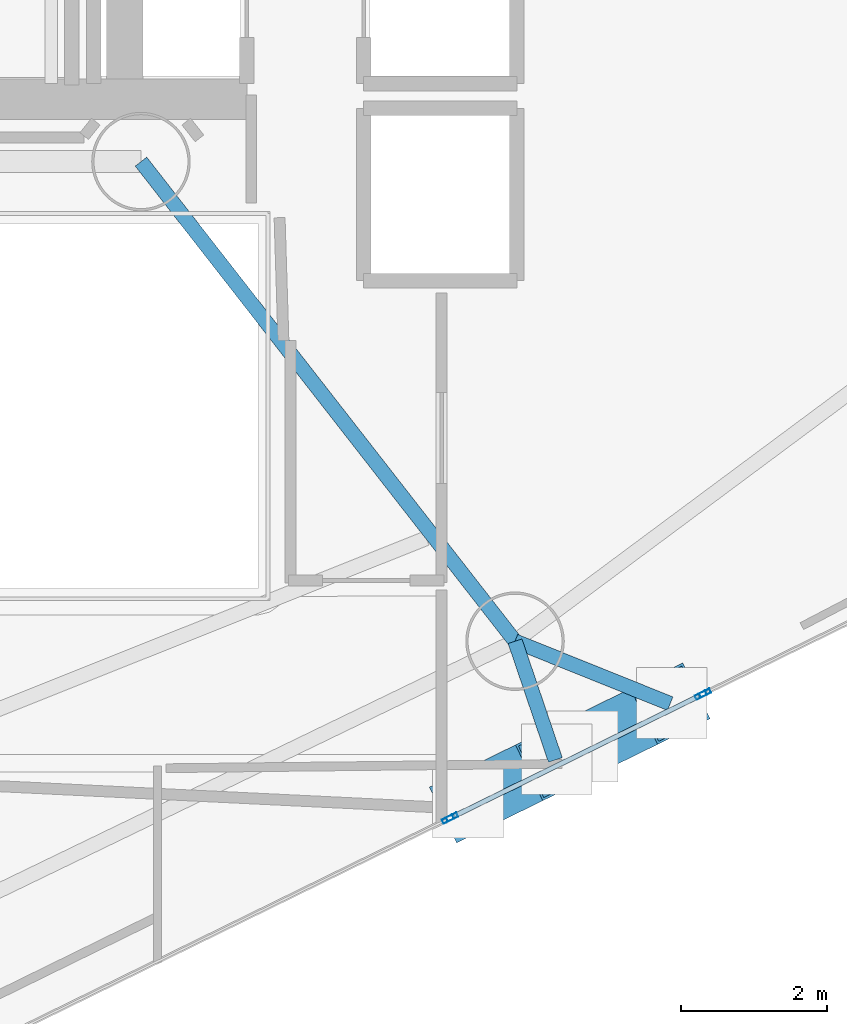
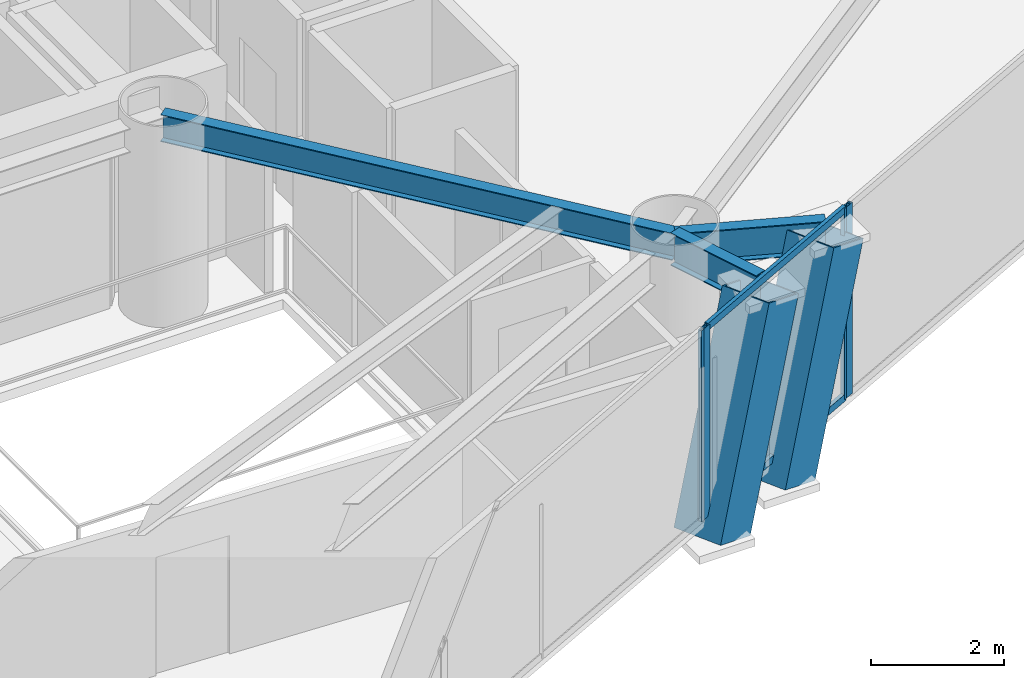
# One storey, part 6 of 23: 8 members, 3 beams, 3 elements without a shape of their own.
"""IFC4 building model written with IfcOpenShell, lengths in metres."""

from ifc_helpers import new_model, si_unit, direction, frame, origin, origin_2d, place, context, subcontext, project, spatial, hollow_rectangle, i_section, extrude, material, layer, layer_set, material_profile, profile_set, type_object, element, aggregate, save


model = new_model("IFC4")

# Units and contexts
model_context = context("Model", 3, precision=1e-05, world=origin(), true_north=direction((0.0, 1.0)))
body_context = subcontext(model_context, "Body", "Model", "MODEL_VIEW")
ifc_project = project(units=[si_unit("LENGTHUNIT", "METRE"), si_unit("AREAUNIT", "SQUARE_METRE"), si_unit("VOLUMEUNIT", "CUBIC_METRE"), si_unit("PLANEANGLEUNIT", "RADIAN"), si_unit("MASSUNIT", "GRAM", prefix="KILO")], contexts=[model_context])

# Site, building, storey
site_placement = place(None, origin())
site = spatial("IfcSite", under=ifc_project, at=site_placement, CompositionType="ELEMENT")
building_placement = place(site_placement, origin())
building = spatial("IfcBuilding", under=site, at=building_placement, Name="Qianvela Tower", CompositionType="ELEMENT")
storey_placement = place(building_placement, frame((0.0, 0.0, 162.39990234375)))
storey = spatial("IfcBuildingStorey", under=building, at=storey_placement, Name="L41", CompositionType="ELEMENT", Elevation=162.39990234375)

# Beams
ifc_material_1 = material(Name="Steel Q355B", Category="steel")
ifc_material_profile_1 = material_profile(ifc_material_1, i_section(OverallWidth=0.199951171875, OverallDepth=0.5, WebThickness=0.010009765625, FlangeThickness=0.01611328125, at=origin_2d()), Name="HN500x200x10x16")
ifc_profile_set_1 = profile_set([ifc_material_profile_1], Name="Steel Q355B")
beam_type_1 = type_object("IfcBeamType", Name="BM-HN500-GIRD", PredefinedType="BEAM", material=ifc_profile_set_1)
beam_1_placement = place(storey_placement, frame((38.39990234375, 23.85009765625, 3.26806640625), z_axis=(0.615000832816, -0.788526458424, 0.0), x_axis=(0.788526458424, 0.615000832816, 0.0)))
element("IfcBeam", 1, at=beam_1_placement, inside=storey, type_object=beam_type_1, Name="L41 Radial Primary Floor Girder 6", PredefinedType="BEAM", context=body_context, shape_type="SweptSolid", body=[
    extrude(i_section(OverallWidth=0.199951171875, OverallDepth=0.5, WebThickness=0.010009765625, FlangeThickness=0.01611328125, at=origin_2d()), origin(), (0.0, 0.0, 1.0), 8.333251953125),
])
ifc_material_2 = material(Name="Steel Q355B", Category="steel")
ifc_material_profile_2 = material_profile(ifc_material_2, i_section(OverallWidth=0.199951171875, OverallDepth=0.60009765625, WebThickness=0.010986328125, FlangeThickness=0.01708984375, at=origin_2d()), Name="HN600x200x11x17")
ifc_profile_set_2 = profile_set([ifc_material_profile_2], Name="Steel Q355B")
beam_type_2 = type_object("IfcBeamType", Name="BM-HN600-GIRD", PredefinedType="BEAM", material=ifc_profile_set_2)
beam_2_placement = place(storey_placement, frame((43.52490234375, 17.279052734375, 3.218017578125), z_axis=(0.32163529782, -0.946863630728, 0.0), x_axis=(0.946863630728, 0.32163529782, 0.0)))
element("IfcBeam", 2, at=beam_2_placement, inside=storey, type_object=beam_type_2, Name="L41 Mega-Brace Column Tie Bracket F3-1", PredefinedType="BEAM", context=body_context, shape_type="SweptSolid", body=[
    extrude(i_section(OverallWidth=0.199951171875, OverallDepth=0.60009765625, WebThickness=0.010986328125, FlangeThickness=0.01708984375, at=origin_2d()), origin(), (0.0, 0.0, 1.0), 1.718505859375),
])
beam_3_placement = place(storey_placement, frame((43.52490234375, 17.279052734375, 3.218017578125), z_axis=(0.927703408303, -0.373318076475, 0.0), x_axis=(0.373318076475, 0.927703408303, 0.0)))
element("IfcBeam", 3, at=beam_3_placement, inside=storey, type_object=beam_type_2, Name="L41 Mega-Brace Column Tie Bracket F3-2", PredefinedType="BEAM", context=body_context, shape_type="SweptSolid", body=[
    extrude(i_section(OverallWidth=0.199951171875, OverallDepth=0.60009765625, WebThickness=0.010986328125, FlangeThickness=0.01708984375, at=origin_2d()), origin(), (0.0, 0.0, 1.0), 2.292236328125),
])

# Curtain wall, members
ifc_material_3 = material(Name="Anodised Architectural Aluminium and Insulated Spandrel Panel", Category="aluminium")
ifc_layer_1 = layer(ifc_material_3, 0.179931640625)
ifc_layer_set_1 = layer_set([ifc_layer_1], Name="Anodised Architectural Aluminium and Insulated Spandrel Panel")
curtain_wall_type_1 = type_object("IfcCurtainWallType", Name="CW-BRACEBAY", PredefinedType="USERDEFINED", material=ifc_layer_set_1)
curtain_wall_1_placement = place(storey_placement, origin())
curtain_wall_1 = element("IfcCurtainWall", 4, at=curtain_wall_1_placement, inside=storey, type_object=curtain_wall_type_1, Name="L41 CW-BRACEBAY Curtain Wall 06B", ObjectType="CURTAIN_WALL_SYSTEM", PredefinedType="USERDEFINED")
ifc_material_4 = material(Name="Anodised Architectural Aluminium 6063-T6", Category="aluminium")
ifc_material_profile_3 = material_profile(ifc_material_4, hollow_rectangle(XDim=0.06494140625, YDim=0.159912109375, WallThickness=0.0048828125, at=origin_2d()), Name="ALU-MULL-65x160")
ifc_profile_set_3 = profile_set([ifc_material_profile_3], Name="Anodised Architectural Aluminium 6063-T6")
member_type_1 = type_object("IfcMemberType", Name="CW-BRACEBAY-MULL", PredefinedType="MULLION", material=ifc_profile_set_3)
member_1_placement = place(storey_placement, frame((42.6630859375, 14.869384765625, 0.0), z_axis=(0.0, 0.0, 1.0), x_axis=(-0.440153121426, 0.897922730361, 0.0)))
member_1 = element("IfcMember", 5, at=member_1_placement, type_object=member_type_1, Name="CW-9 mullion 1", PredefinedType="MULLION", context=body_context, shape_type="SweptSolid", body=[
    extrude(hollow_rectangle(XDim=0.06494140625, YDim=0.159912109375, WallThickness=0.0048828125, at=origin_2d()), origin(), (0.0, 0.0, 1.0), 3.52001953125),
])
member_2_placement = place(storey_placement, frame((46.07080078125, 16.539794921875, 0.0), z_axis=(0.0, 0.0, 1.0), x_axis=(-0.440153121426, 0.897922730361, 0.0)))
member_2 = element("IfcMember", 6, at=member_2_placement, type_object=member_type_1, Name="CW-9 mullion 2", PredefinedType="MULLION", context=body_context, shape_type="SweptSolid", body=[
    extrude(hollow_rectangle(XDim=0.06494140625, YDim=0.159912109375, WallThickness=0.0048828125, at=origin_2d()), origin(), (0.0, 0.0, 1.0), 3.52001953125),
])
ifc_material_5 = material(Name="Anodised Architectural Aluminium 6063-T6", Category="aluminium")
ifc_material_profile_4 = material_profile(ifc_material_5, hollow_rectangle(XDim=0.06494140625, YDim=0.1298828125, WallThickness=0.00439453125, at=origin_2d()), Name="ALU-TRAN-65x130")
ifc_profile_set_4 = profile_set([ifc_material_profile_4], Name="Anodised Architectural Aluminium 6063-T6")
member_type_2 = type_object("IfcMemberType", Name="CW-BRACEBAY-TRAN", PredefinedType="USERDEFINED", material=ifc_profile_set_4)
member_3_placement = place(storey_placement, frame((42.6923828125, 14.8837890625, 0.03271484375), z_axis=(0.897933911041, 0.440130311842, 0.0), x_axis=(-0.440130311842, 0.897933911041, 0.0)))
member_3 = element("IfcMember", 7, at=member_3_placement, type_object=member_type_2, Name="CW-9 transom 1.1", ObjectType="TRANSOM", PredefinedType="USERDEFINED", context=body_context, shape_type="SweptSolid", body=[
    extrude(hollow_rectangle(XDim=0.06494140625, YDim=0.1298828125, WallThickness=0.00439453125, at=origin_2d()), origin(), (0.0, 0.0, 1.0), 3.729736328125),
])
member_4_placement = place(storey_placement, frame((42.6923828125, 14.8837890625, 3.487548828125), z_axis=(0.897933911041, 0.440130311842, 0.0), x_axis=(-0.440130311842, 0.897933911041, 0.0)))
member_4 = element("IfcMember", 8, at=member_4_placement, type_object=member_type_2, Name="CW-9 transom 1.2", ObjectType="TRANSOM", PredefinedType="USERDEFINED", context=body_context, shape_type="SweptSolid", body=[
    extrude(hollow_rectangle(XDim=0.06494140625, YDim=0.1298828125, WallThickness=0.00439453125, at=origin_2d()), origin(), (0.0, 0.0, 1.0), 3.729736328125),
])
aggregate(curtain_wall_1, [member_1, member_2, member_3, member_4])

# Curtain wall, member
ifc_material_6 = material(Name="Anodised Architectural Aluminium and Low-E Glass", Category="aluminium")
ifc_layer_2 = layer(ifc_material_6, 0.169921875)
ifc_layer_set_2 = layer_set([ifc_layer_2], Name="Anodised Architectural Aluminium and Low-E Glass")
curtain_wall_type_2 = type_object("IfcCurtainWallType", Name="CW-COLIV-Z34", PredefinedType="USERDEFINED", material=ifc_layer_set_2)
curtain_wall_2_placement = place(storey_placement, origin())
curtain_wall_2 = element("IfcCurtainWall", 9, at=curtain_wall_2_placement, inside=storey, type_object=curtain_wall_type_2, Name="L41 CW-COLIV-Z34 Curtain Wall 06A", ObjectType="CURTAIN_WALL_SYSTEM", PredefinedType="USERDEFINED")
ifc_material_7 = material(Name="Anodised Architectural Aluminium 6063-T6", Category="aluminium")
ifc_material_profile_5 = material_profile(ifc_material_7, hollow_rectangle(XDim=0.06494140625, YDim=0.159912109375, WallThickness=0.0048828125, at=origin_2d()), Name="ALU-MULL-65x160")
ifc_profile_set_5 = profile_set([ifc_material_profile_5], Name="Anodised Architectural Aluminium 6063-T6")
member_type_3 = type_object("IfcMemberType", Name="CW-COLIV-Z34-MULL", PredefinedType="MULLION", material=ifc_profile_set_5)
member_5_placement = place(storey_placement, frame((42.604736328125, 14.8408203125, 0.0), z_axis=(0.0, 0.0, 1.0), x_axis=(-0.440141016872, 0.897928663796, 0.0)))
member_5 = element("IfcMember", 10, at=member_5_placement, type_object=member_type_3, Name="CW-4 mullion 3", PredefinedType="MULLION", context=body_context, shape_type="SweptSolid", body=[
    extrude(hollow_rectangle(XDim=0.06494140625, YDim=0.159912109375, WallThickness=0.0048828125, at=origin_2d()), origin(), (0.0, 0.0, 1.0), 3.52001953125),
])
aggregate(curtain_wall_2, [member_5])

curtain_wall_3_placement = place(storey_placement, origin())
curtain_wall_3 = element("IfcCurtainWall", 11, at=curtain_wall_3_placement, inside=storey, type_object=curtain_wall_type_2, Name="L41 CW-COLIV-Z34 Curtain Wall 06C", ObjectType="CURTAIN_WALL_SYSTEM", PredefinedType="USERDEFINED")
member_6_placement = place(storey_placement, frame((46.129150390625, 16.568359375, 0.0), z_axis=(0.0, 0.0, 1.0), x_axis=(-0.440146392296, 0.897926028885, 0.0)))
member_6 = element("IfcMember", 12, at=member_6_placement, type_object=member_type_3, Name="CW-4 mullion 1", PredefinedType="MULLION", context=body_context, shape_type="SweptSolid", body=[
    extrude(hollow_rectangle(XDim=0.06494140625, YDim=0.159912109375, WallThickness=0.0048828125, at=origin_2d()), origin(), (0.0, 0.0, 1.0), 3.52001953125),
])
aggregate(curtain_wall_3, [member_6])

# Members
ifc_material_8 = material(Name="Steel Q420GJC", Category="steel")
ifc_material_profile_6 = material_profile(ifc_material_8, hollow_rectangle(XDim=0.85009765625, YDim=0.85009765625, WallThickness=0.031982421875, at=origin_2d()), Name="MBOX-850x850x32")
ifc_profile_set_6 = profile_set([ifc_material_profile_6], Name="Steel Q420GJC")
member_type_4 = type_object("IfcMemberType", Name="MBR-MBRACE-850", PredefinedType="BRACE", material=ifc_profile_set_6)
for number, where, z_axis, x_axis, name in (
    (13, (42.89892578125, 15.07421875, -0.48193359375), (0.300239951765, 0.147134988789, 0.942447487364), (-0.440057242115, 0.897969723132, 0.0), "L41 Tier 7 Exterior Mega-Brace F3A"),
    (14, (44.47265625, 15.845703125, -0.48193359375), (0.300239951765, 0.147134988789, 0.942447487364), (-0.440057242115, 0.897969723132, 0.0), "L41 Tier 7 Exterior Mega-Brace F3B"),
):
    element("IfcMember", number, at=place(storey_placement, frame(where, z_axis=z_axis, x_axis=x_axis)), inside=storey, type_object=member_type_4, Name=name, PredefinedType="BRACE", context=body_context, shape_type="SweptSolid", body=[
        extrude(hollow_rectangle(XDim=0.85009765625, YDim=0.85009765625, WallThickness=0.031982421875, at=origin_2d()), origin(), (0.0, 0.0, 1.0), 3.92578125),
    ])

save(model, "model.ifc")
